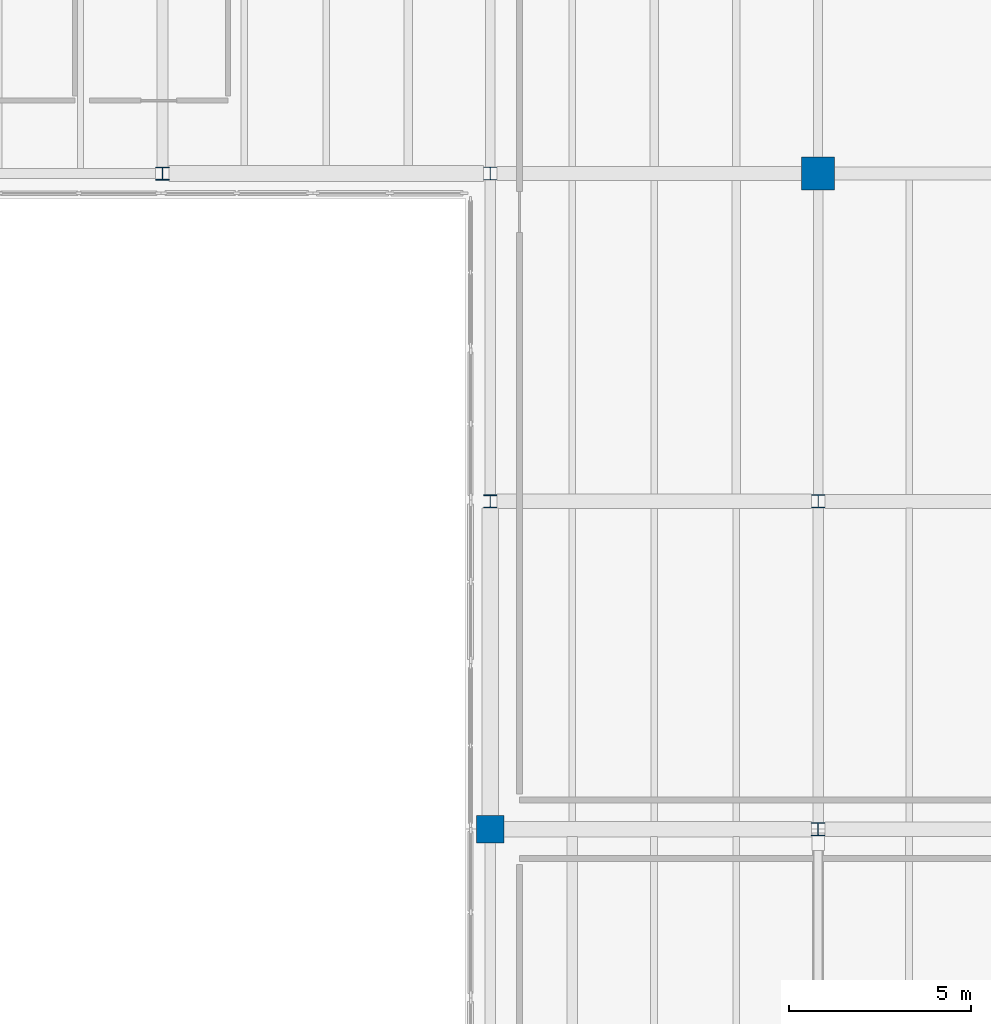
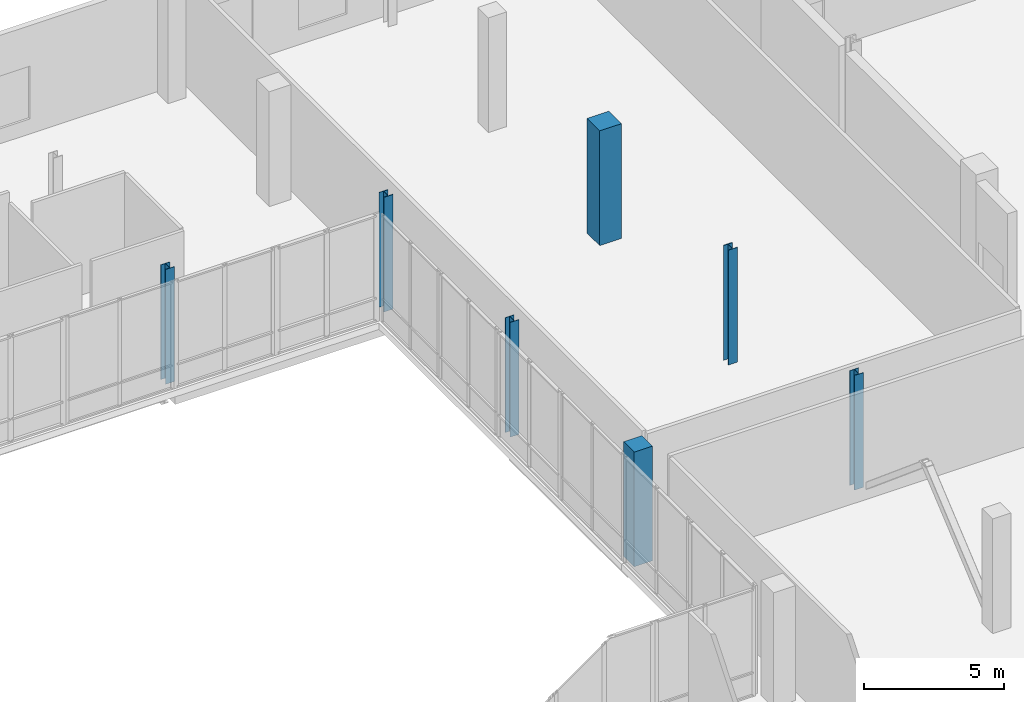
# One storey, part 8 of 73: 7 columns.
"""IFC4 building model written with IfcOpenShell, lengths in metres."""

import ifcopenshell
import ifcopenshell.guid

model = None  # the IFC model being written
_history = None  # IfcOwnerHistory: only IFC2X3 demands one
_inside = {}  # id of a spatial element -> (the spatial element, [elements in it])
_under = {}  # id of a project, library or spatial element -> (it, [spatial elements below it])
_declared = {}  # id of a project -> (the project, [libraries it declares])
_typed = {}  # id of a type object -> (the type object, [elements of that type])
_made_of = {}  # id of a material, layer set ... -> (it, [elements and type objects made of it])


def new_model(schema):
    """Start an empty IFC model of exactly this schema.

    Asked for "IFC4X3", IfcOpenShell would pick the latest addendum, in which some entities
    have other attributes; the version numbers below select the first issue.
    IFC2X3 requires an IfcOwnerHistory on every rooted entity: one is made here for all.
    """
    global model, _history
    if schema == "IFC4X3":
        model = ifcopenshell.file(schema_version=(4, 3, 0, 0))
    else:
        model = ifcopenshell.file(schema=schema)
    _inside.clear()
    _under.clear()
    _declared.clear()
    _typed.clear()
    _made_of.clear()
    _history = None
    if model.schema == "IFC2X3":
        org = make("IfcOrganization", Name="unknown")
        user = make(
            "IfcPersonAndOrganization",
            ThePerson=make("IfcPerson", FamilyName="unknown"),
            TheOrganization=org,
        )
        app = make(
            "IfcApplication",
            ApplicationDeveloper=org,
            Version="unknown",
            ApplicationFullName="unknown",
            ApplicationIdentifier="unknown",
        )
        _history = make(
            "IfcOwnerHistory",
            OwningUser=user,
            OwningApplication=app,
            ChangeAction="ADDED",
            CreationDate=0,
        )
    return model


def make(cls, **values):
    """One entity of the class cls with the attributes given. An attribute that is None is left unset."""
    return model.create_entity(
        cls, **{name: value for name, value in values.items() if value is not None}
    )


def rooted(cls, **values):
    """An entity with a GlobalId (a new one), such as an element, a storey or a relation."""
    return make(cls, GlobalId=ifcopenshell.guid.new(), OwnerHistory=_history, **values)


def si_unit(unit_type, name, prefix=None):
    """IfcSIUnit, for example si_unit("LENGTHUNIT", "METRE", prefix="MILLI")."""
    return make("IfcSIUnit", UnitType=unit_type, Prefix=prefix, Name=name)


def assignment(units):
    """IfcUnitAssignment: the units of a project."""
    return None if units is None else make("IfcUnitAssignment", Units=units)


def point(xyz):
    """IfcCartesianPoint."""
    return None if xyz is None else make("IfcCartesianPoint", Coordinates=xyz)


def direction(xyz):
    """IfcDirection."""
    return None if xyz is None else make("IfcDirection", DirectionRatios=xyz)


def frame(location, z_axis=None, x_axis=None):
    """IfcAxis2Placement3D, a coordinate frame: its origin and axes. An axis left out is left unset."""
    return make(
        "IfcAxis2Placement3D",
        Location=point(location),
        Axis=direction(z_axis),
        RefDirection=direction(x_axis),
    )


def frame_2d(location, x_axis=None):
    """IfcAxis2Placement2D, a coordinate frame in the plane: its origin and x axis."""
    return make(
        "IfcAxis2Placement2D", Location=point(location), RefDirection=direction(x_axis)
    )


def origin():
    """The frame at (0, 0, 0) with its axes left unset."""
    return frame((0.0, 0.0, 0.0))


def origin_2d():
    """The frame at (0, 0) in the plane with its x axis left unset."""
    return frame_2d((0.0, 0.0))


def place(relative_to, where):
    """IfcLocalPlacement: puts the frame where relative to a parent placement (None: the world)."""
    return make(
        "IfcLocalPlacement", PlacementRelTo=relative_to, RelativePlacement=where
    )


def context(
    kind, dimensions, precision=None, world=None, true_north=None, identifier=None
):
    """IfcGeometricRepresentationContext, for example the 3D "Model" context."""
    return make(
        "IfcGeometricRepresentationContext",
        ContextIdentifier=identifier,
        ContextType=kind,
        CoordinateSpaceDimension=dimensions,
        Precision=precision,
        WorldCoordinateSystem=world,
        TrueNorth=true_north,
    )


def subcontext(parent, identifier, kind, view, scale=None):
    """IfcGeometricRepresentationSubContext, for example "Body" below "Model"."""
    return make(
        "IfcGeometricRepresentationSubContext",
        ContextIdentifier=identifier,
        ContextType=kind,
        ParentContext=parent,
        TargetScale=scale,
        TargetView=view,
    )


def project(units=None, contexts=None):
    """IfcProject with its units and contexts."""
    return rooted(
        "IfcProject",
        Name="project",
        RepresentationContexts=contexts,
        UnitsInContext=assignment(units),
    )


def spatial(cls, under=None, at=None, **own):
    """A site, building, storey or space (cls), placed at a placement, below another one or the project."""
    s = rooted(cls, ObjectPlacement=at, **own)
    if under is not None:
        _under.setdefault(under.id(), (under, []))[1].append(s)
    return s


def profile(cls, at=None, kind="AREA", **sizes):
    """A parametric profile (cls). Its sizes go by their IFC names, for example OverallWidth=200.0."""
    return make(cls, ProfileType=kind, Position=at, **sizes)


def rectangle(**sizes):
    """IfcRectangleProfileDef."""
    return profile("IfcRectangleProfileDef", **sizes)


def i_section(**sizes):
    """IfcIShapeProfileDef."""
    return profile("IfcIShapeProfileDef", **sizes)


def extrude(swept, where, along, depth):
    """IfcExtrudedAreaSolid: the profile swept, set in the frame where, extruded along a direction by depth."""
    return make(
        "IfcExtrudedAreaSolid",
        SweptArea=swept,
        Position=where,
        ExtrudedDirection=direction(along),
        Depth=depth,
    )


def shape(context_of_items, identifier, shape_type, items):
    """IfcShapeRepresentation: the items that make up one representation, for example the "Body"."""
    return make(
        "IfcShapeRepresentation",
        ContextOfItems=context_of_items,
        RepresentationIdentifier=identifier,
        RepresentationType=shape_type,
        Items=items,
    )


def material(Name=None, Category=None):
    """IfcMaterial."""
    return make("IfcMaterial", Name=Name, Category=Category)


def material_profile(
    of_material, cross_section, Name=None, Category=None, Priority=None
):
    """IfcMaterialProfile: a cross section and its material."""
    return make(
        "IfcMaterialProfile",
        Name=Name,
        Material=of_material,
        Profile=cross_section,
        Priority=Priority,
        Category=Category,
    )


def profile_set(profiles, Name=None, composite=None):
    """IfcMaterialProfileSet."""
    return make(
        "IfcMaterialProfileSet",
        Name=Name,
        MaterialProfiles=profiles,
        CompositeProfile=composite,
    )


def made_of(thing, what):
    """Note that an element or type object is made of a material, layer set ...; save() writes the relation."""
    if what is not None:
        _made_of.setdefault(what.id(), (what, []))[1].append(thing)
    return thing


def type_object(cls, material=None, **own):
    """A type object (cls), such as IfcWallType, which elements share."""
    return made_of(rooted(cls, **own), material)


def element(
    cls,
    number,
    at=None,
    inside=None,
    cuts=None,
    type_object=None,
    material=None,
    context=None,
    identifier="Body",
    shape_type=None,
    held_by="IfcProductDefinitionShape",
    body=None,
    shapes=None,
    **own,
):
    """One element of the class cls, such as IfcWall. Its Tag is "e" and its number.

    at: its placement. inside: the storey or other place that contains it. cuts: it is an
    opening in that element (IfcRelVoidsElement). A single representation is given by context,
    identifier, shape_type and body (its items); several are given by shapes. held_by: the class
    of the entity that holds the representations. save() writes the other relations.
    """
    e = rooted(cls, Tag="e%d" % number, ObjectPlacement=at, **own)
    if body is not None:
        shapes = [shape(context, identifier, shape_type, body)]
    if shapes is not None:
        e.Representation = make(held_by, Representations=shapes)
    if inside is not None:
        _inside.setdefault(inside.id(), (inside, []))[1].append(e)
    if cuts is not None:
        rooted(
            "IfcRelVoidsElement", RelatingBuildingElement=cuts, RelatedOpeningElement=e
        )
    if type_object is not None:
        _typed.setdefault(type_object.id(), (type_object, []))[1].append(e)
    return made_of(e, material)


def aggregate(whole, parts):
    """IfcRelAggregates: a whole, such as a stair, and the parts it consists of."""
    return rooted("IfcRelAggregates", RelatingObject=whole, RelatedObjects=parts)


def save(model, path):
    """Write the relations noted so far, then the file.

    IfcRelAggregates (storeys below a building ...), IfcRelContainedInSpatialStructure (elements
    in a storey), IfcRelDefinesByType, IfcRelAssociatesMaterial and IfcRelDeclares: one each for
    every whole, place, type object, material and project.
    """
    for whole, parts in _under.values():
        aggregate(whole, parts)
    for where, things in _inside.values():
        rooted(
            "IfcRelContainedInSpatialStructure",
            RelatedElements=things,
            RelatingStructure=where,
        )
    for kind, things in _typed.values():
        rooted("IfcRelDefinesByType", RelatedObjects=things, RelatingType=kind)
    for what, things in _made_of.values():
        rooted("IfcRelAssociatesMaterial", RelatedObjects=things, RelatingMaterial=what)
    for by, libraries in _declared.values():
        rooted("IfcRelDeclares", RelatingContext=by, RelatedDefinitions=libraries)
    model.write(path)


model = new_model("IFC4")

# Units and contexts
model_context = context("Model", 3, precision=1e-05, world=origin(), true_north=direction((0.0, 1.0)))
body_context = subcontext(model_context, "Body", "Model", "MODEL_VIEW")
ifc_project = project(units=[si_unit("LENGTHUNIT", "METRE"), si_unit("AREAUNIT", "SQUARE_METRE"), si_unit("VOLUMEUNIT", "CUBIC_METRE"), si_unit("PLANEANGLEUNIT", "RADIAN"), si_unit("MASSUNIT", "GRAM", prefix="KILO")], contexts=[model_context])

# Site, building, storey
site_placement = place(None, origin())
site = spatial("IfcSite", under=ifc_project, at=site_placement, CompositionType="ELEMENT")
building_placement = place(site_placement, origin())
building = spatial("IfcBuilding", under=site, at=building_placement, Name="Trimount Lyric Opera House", CompositionType="ELEMENT")
storey_placement = place(building_placement, frame((0.0, 0.0, 10.0)))
storey = spatial("IfcBuildingStorey", under=building, at=storey_placement, Name="L02", CompositionType="ELEMENT", Elevation=10.0)

# Columns
ifc_material_1 = material(Name="Steel ASTM A992 Grade 50", Category="steel")
ifc_material_profile_1 = material_profile(ifc_material_1, i_section(OverallWidth=0.373046875, OverallDepth=0.367919921875, WebThickness=0.014892578125, FlangeThickness=0.02392578125, FilletRadius=0.014892578125, at=origin_2d()), Name="W14X120")
ifc_profile_set_1 = profile_set([ifc_material_profile_1], Name="Steel ASTM A992 Grade 50")
column_type_1 = type_object("IfcColumnType", Name="C-04", PredefinedType="COLUMN", material=ifc_profile_set_1)
for number, where, z_axis, x_axis, name in (
    (1, (45.0, 102.0, 0.0), (0.0, 0.0, 1.0), (1.0, 0.0, 0.0), "L02 column 6/M"),
    (2, (54.0, 93.0, 0.0), (0.0, 0.0, 1.0), (1.0, 0.0, 0.0), "L02 column 7/L"),
):
    element("IfcColumn", number, at=place(storey_placement, frame(where, z_axis=z_axis, x_axis=x_axis)), inside=storey, type_object=column_type_1, Name=name, PredefinedType="COLUMN", context=body_context, shape_type="SweptSolid", body=[
        extrude(i_section(OverallWidth=0.373046875, OverallDepth=0.367919921875, WebThickness=0.014892578125, FlangeThickness=0.02392578125, FilletRadius=0.014892578125, at=origin_2d()), origin(), (0.0, 0.0, 1.0), 5.0),
    ])
ifc_material_2 = material(Name="Steel ASTM A992 Grade 50", Category="steel")
ifc_material_profile_2 = material_profile(ifc_material_2, i_section(OverallWidth=0.367919921875, OverallDepth=0.35595703125, WebThickness=0.01123046875, FlangeThickness=0.01806640625, FilletRadius=0.014892578125, at=origin_2d()), Name="W14X90")
ifc_profile_set_2 = profile_set([ifc_material_profile_2], Name="Steel ASTM A992 Grade 50")
column_type_2 = type_object("IfcColumnType", Name="C-09", PredefinedType="COLUMN", material=ifc_profile_set_2)
for number, where, z_axis, x_axis, name in (
    (3, (36.0, 102.0, 0.0), (0.0, 0.0, 1.0), (1.0, 0.0, 0.0), "L02 column 5/M"),
    (4, (45.0, 93.0, 0.0), (0.0, 0.0, 1.0), (1.0, 0.0, 0.0), "L02 column 6/L"),
    (5, (54.0, 84.0, 0.0), (0.0, 0.0, 1.0), (1.0, 0.0, 0.0), "L02 column 7/K"),
):
    element("IfcColumn", number, at=place(storey_placement, frame(where, z_axis=z_axis, x_axis=x_axis)), inside=storey, type_object=column_type_2, Name=name, PredefinedType="COLUMN", context=body_context, shape_type="SweptSolid", body=[
        extrude(i_section(OverallWidth=0.367919921875, OverallDepth=0.35595703125, WebThickness=0.01123046875, FlangeThickness=0.01806640625, FilletRadius=0.014892578125, at=origin_2d()), origin(), (0.0, 0.0, 1.0), 5.0),
    ])
ifc_material_3 = material(Name="Concrete C50/60", Category="concrete")
ifc_material_profile_3 = material_profile(ifc_material_3, rectangle(XDim=0.89990234375, YDim=0.89990234375, at=origin_2d()), Name="RC900X900")
ifc_profile_set_3 = profile_set([ifc_material_profile_3], Name="Concrete C50/60")
column_type_3 = type_object("IfcColumnType", Name="C-13", PredefinedType="COLUMN", material=ifc_profile_set_3)
column_1_placement = place(storey_placement, frame((54.0, 102.0, 0.0), z_axis=(0.0, 0.0, 1.0), x_axis=(1.0, 0.0, 0.0)))
element("IfcColumn", 6, at=column_1_placement, inside=storey, type_object=column_type_3, Name="L02 column 7/M", PredefinedType="COLUMN", context=body_context, shape_type="SweptSolid", body=[
    extrude(rectangle(XDim=0.89990234375, YDim=0.89990234375, at=origin_2d()), origin(), (0.0, 0.0, 1.0), 5.0),
])
ifc_material_4 = material(Name="Concrete C40/50", Category="concrete")
ifc_material_profile_4 = material_profile(ifc_material_4, rectangle(XDim=0.75, YDim=0.75, at=origin_2d()), Name="RC750X750")
ifc_profile_set_4 = profile_set([ifc_material_profile_4], Name="Concrete C40/50")
column_type_4 = type_object("IfcColumnType", Name="C-15", PredefinedType="COLUMN", material=ifc_profile_set_4)
column_2_placement = place(storey_placement, frame((45.0, 84.0, 0.0), z_axis=(0.0, 0.0, 1.0), x_axis=(1.0, 0.0, 0.0)))
element("IfcColumn", 7, at=column_2_placement, inside=storey, type_object=column_type_4, Name="L02 column 6/K", PredefinedType="COLUMN", context=body_context, shape_type="SweptSolid", body=[
    extrude(rectangle(XDim=0.75, YDim=0.75, at=origin_2d()), origin(), (0.0, 0.0, 1.0), 5.0),
])

save(model, "model.ifc")
